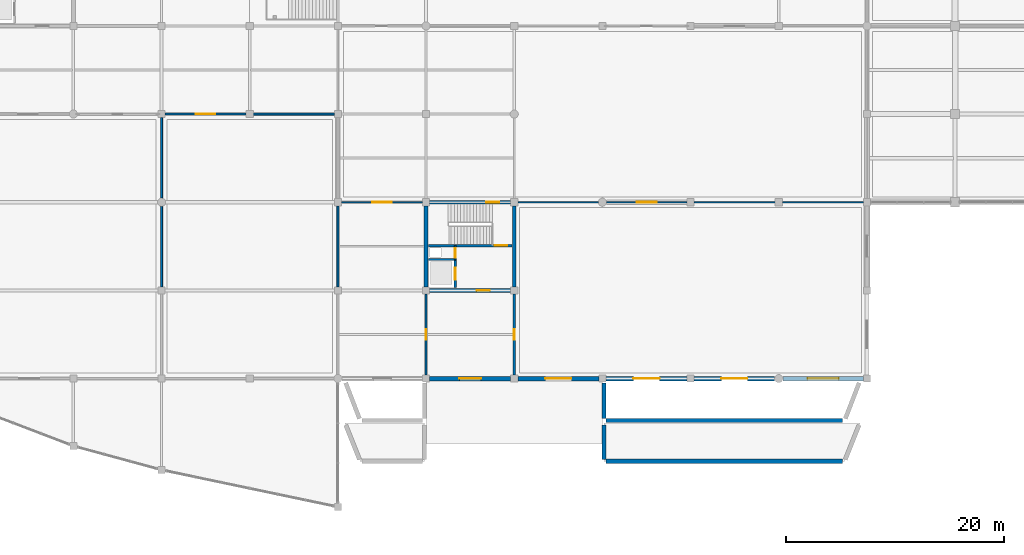
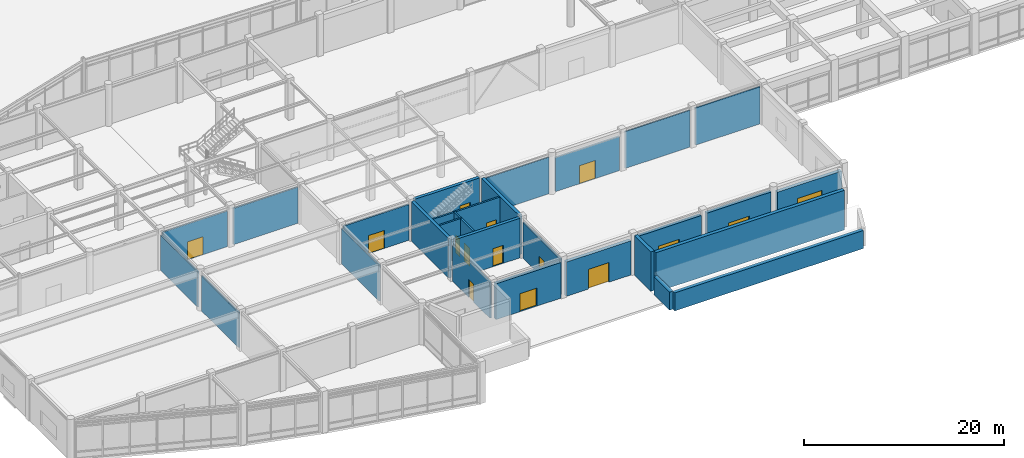
# One storey, part 63 of 99: 29 walls, 14 doors, 1 window, 15 openings.
"""IFC4 building model written with IfcOpenShell, lengths in metres."""

from ifc_helpers import new_model, si_unit, direction, frame, frame_2d, origin, place, context, subcontext, project, spatial, rectangle, extrude, material, layer, layer_set, type_object, element, fill, save


model = new_model("IFC4")

# Units and contexts
model_context = context("Model", 3, precision=1e-05, world=origin(), true_north=direction((0.0, 1.0)))
body_context = subcontext(model_context, "Body", "Model", "MODEL_VIEW")
ifc_project = project(units=[si_unit("LENGTHUNIT", "METRE"), si_unit("AREAUNIT", "SQUARE_METRE"), si_unit("VOLUMEUNIT", "CUBIC_METRE"), si_unit("PLANEANGLEUNIT", "RADIAN"), si_unit("MASSUNIT", "GRAM", prefix="KILO")], contexts=[model_context])

# Site, building, storey
site_placement = place(None, origin())
site = spatial("IfcSite", under=ifc_project, at=site_placement, CompositionType="ELEMENT")
building_placement = place(site_placement, origin())
building = spatial("IfcBuilding", under=site, at=building_placement, Name="Vaudrelin Polytechnic", CompositionType="ELEMENT")
storey_placement = place(building_placement, origin())
storey = spatial("IfcBuildingStorey", under=building, at=storey_placement, Name="L00", CompositionType="ELEMENT", Elevation=0.0)

# Wall, opening, door
ifc_material_1 = material(Name="Concrete 35 MPa", Category="concrete")
ifc_layer_1 = layer(ifc_material_1, 0.39990234375)
ifc_layer_set_1 = layer_set([ifc_layer_1], Name="Concrete 35 MPa")
wall_type_1 = type_object("IfcWallType", Name="WAL-EW-BERM400", PredefinedType="STANDARD", material=ifc_layer_set_1)
wall_1_placement = place(storey_placement, frame((89.423095703125, 0.0, 0.0), z_axis=(0.0, 0.0, 1.0), x_axis=(1.0, 0.0, 0.0)))
wall_1 = element("IfcWall", 1, at=wall_1_placement, inside=storey, type_object=wall_type_1, Name="Exterior wall L00 S_V3_01", PredefinedType="STANDARD", context=body_context, shape_type="SweptSolid", body=[
    extrude(rectangle(XDim=7.453857421875, YDim=0.39990234375, at=frame_2d((3.72705078125, 0.0))), origin(), (0.0, 0.0, 1.0), 4.35888671875),
])
opening_1_placement = place(wall_1_placement, frame((4.72705078125, 0.0, 0.0), z_axis=(0.0, 0.0, 1.0), x_axis=(-1.0, 0.0, 0.0)))
opening_1 = element("IfcOpeningElement", 2, at=opening_1_placement, cuts=wall_1, Name="Opening ED-00-11", PredefinedType="OPENING", context=body_context, shape_type="SweptSolid", body=[
    extrude(rectangle(XDim=2.0, YDim=2.199951171875, at=frame_2d((1.0, 1.10009765625))), frame((0.0, 0.2099609375, 0.0), z_axis=(0.0, -1.0, 0.0), x_axis=(1.0, 0.0, 0.0)), (0.0, 0.0, 1.0), 0.419921875),
])
ifc_material_2 = material(Name="Thermally broken anodised aluminium AA 6063-T6", Category="aluminium")
door_type_1 = type_object("IfcDoorType", Name="DOR-ED-02", OperationType="DOUBLE_SWING_LEFT", PredefinedType="DOOR", material=ifc_material_2)
door_1_placement = place(opening_1_placement, origin())
door_1 = element("IfcDoor", 3, at=door_1_placement, inside=storey, type_object=door_type_1, Name="Exterior exit door ED-00-11", OperationType="DOUBLE_SWING_LEFT", OverallHeight=2.199951171875, OverallWidth=2.0, PredefinedType="DOOR", context=body_context, shape_type="SweptSolid", body=[
    extrude(rectangle(XDim=2.0, YDim=2.199951171875, at=frame_2d((1.0, 1.10009765625))), frame((0.0, 0.02490234375, 0.0), z_axis=(0.0, -1.0, 0.0), x_axis=(1.0, 0.0, 0.0)), (0.0, 0.0, 1.0), 0.050048828125),
])
fill(opening_1, door_1)

wall_2_placement = place(storey_placement, frame((97.52294921875, 0.0, 0.0), z_axis=(0.0, 0.0, 1.0), x_axis=(1.0, 0.0, 0.0)))
wall_2 = element("IfcWall", 4, at=wall_2_placement, inside=storey, type_object=wall_type_1, Name="Exterior wall L00 S_V3_02", PredefinedType="STANDARD", context=body_context, shape_type="SweptSolid", body=[
    extrude(rectangle(XDim=7.4541015625, YDim=0.39990234375, at=frame_2d((3.72705078125, 0.0))), origin(), (0.0, 0.0, 1.0), 4.172119140625),
])
opening_2_placement = place(wall_2_placement, frame((4.927001953125, 0.0, 0.0), z_axis=(0.0, 0.0, 1.0), x_axis=(-1.0, 0.0, 0.0)))
opening_2 = element("IfcOpeningElement", 5, at=opening_2_placement, cuts=wall_2, Name="Opening ED-00-12", PredefinedType="OPENING", context=body_context, shape_type="SweptSolid", body=[
    extrude(rectangle(XDim=2.39990234375, YDim=2.39990234375, at=frame_2d((1.199951171875, 1.199951171875))), frame((0.0, 0.2099609375, 0.0), z_axis=(0.0, -1.0, 0.0), x_axis=(1.0, 0.0, 0.0)), (0.0, 0.0, 1.0), 0.419921875),
])
door_type_2 = type_object("IfcDoorType", Name="DOR-ED-01", OperationType="DOUBLE_SWING_LEFT", PredefinedType="DOOR", material=ifc_material_2)
door_2_placement = place(opening_2_placement, origin())
door_2 = element("IfcDoor", 6, at=door_2_placement, inside=storey, type_object=door_type_2, Name="Exterior exit door ED-00-12", OperationType="DOUBLE_SWING_RIGHT", OverallHeight=2.39990234375, OverallWidth=2.39990234375, PredefinedType="DOOR", context=body_context, shape_type="SweptSolid", body=[
    extrude(rectangle(XDim=2.39990234375, YDim=2.39990234375, at=frame_2d((1.199951171875, 1.199951171875))), frame((0.0, 0.02490234375, 0.0), z_axis=(0.0, -1.0, 0.0), x_axis=(1.0, 0.0, 0.0)), (0.0, 0.0, 1.0), 0.050048828125),
])
fill(opening_2, door_2)

wall_3_placement = place(storey_placement, frame((105.623046875, 0.0, 0.0), z_axis=(0.0, 0.0, 1.0), x_axis=(1.0, 0.0, 0.0)))
wall_3 = element("IfcWall", 7, at=wall_3_placement, inside=storey, type_object=wall_type_1, Name="Exterior wall L00 S_V3_03", PredefinedType="STANDARD", context=body_context, shape_type="SweptSolid", body=[
    extrude(rectangle(XDim=7.453857421875, YDim=0.39990234375, at=frame_2d((3.72705078125, 0.0))), origin(), (0.0, 0.0, 1.0), 4.412109375),
])
opening_3_placement = place(wall_3_placement, frame((4.927001953125, 0.0, 0.0), z_axis=(0.0, 0.0, 1.0), x_axis=(-1.0, 0.0, 0.0)))
opening_3 = element("IfcOpeningElement", 8, at=opening_3_placement, cuts=wall_3, Name="Opening ED-00-26", PredefinedType="OPENING", context=body_context, shape_type="SweptSolid", body=[
    extrude(rectangle(XDim=2.39990234375, YDim=2.39990234375, at=frame_2d((1.199951171875, 1.199951171875))), frame((0.0, 0.2099609375, 0.0), z_axis=(0.0, -1.0, 0.0), x_axis=(1.0, 0.0, 0.0)), (0.0, 0.0, 1.0), 0.419921875),
])
door_3_placement = place(opening_3_placement, origin())
door_3 = element("IfcDoor", 9, at=door_3_placement, inside=storey, type_object=door_type_2, Name="Exterior exit door ED-00-26", OperationType="DOUBLE_SWING_RIGHT", OverallHeight=2.39990234375, OverallWidth=2.39990234375, PredefinedType="DOOR", context=body_context, shape_type="SweptSolid", body=[
    extrude(rectangle(XDim=2.39990234375, YDim=2.39990234375, at=frame_2d((1.199951171875, 1.199951171875))), frame((0.0, 0.02490234375, 0.0), z_axis=(0.0, -1.0, 0.0), x_axis=(1.0, 0.0, 0.0)), (0.0, 0.0, 1.0), 0.050048828125),
])
fill(opening_3, door_3)

wall_4_placement = place(storey_placement, frame((113.722900390625, 0.0, 0.0), z_axis=(0.0, 0.0, 1.0), x_axis=(1.0, 0.0, 0.0)))
wall_4 = element("IfcWall", 10, at=wall_4_placement, inside=storey, type_object=wall_type_1, Name="Exterior wall L00 S_V3_04", PredefinedType="STANDARD", context=body_context, shape_type="SweptSolid", body=[
    extrude(rectangle(XDim=7.404052734375, YDim=0.39990234375, at=frame_2d((3.7021484375, 0.0))), origin(), (0.0, 0.0, 1.0), 4.464111328125),
])
opening_4_placement = place(wall_4_placement, frame((4.90185546875, 0.0, 0.0), z_axis=(0.0, 0.0, 1.0), x_axis=(-1.0, 0.0, 0.0)))
opening_4 = element("IfcOpeningElement", 11, at=opening_4_placement, cuts=wall_4, Name="Opening ED-00-23", PredefinedType="OPENING", context=body_context, shape_type="SweptSolid", body=[
    extrude(rectangle(XDim=2.39990234375, YDim=2.39990234375, at=frame_2d((1.199951171875, 1.199951171875))), frame((0.0, 0.2099609375, 0.0), z_axis=(0.0, -1.0, 0.0), x_axis=(1.0, 0.0, 0.0)), (0.0, 0.0, 1.0), 0.419921875),
])
door_4_placement = place(opening_4_placement, origin())
door_4 = element("IfcDoor", 12, at=door_4_placement, inside=storey, type_object=door_type_2, Name="Exterior exit door ED-00-23", OperationType="DOUBLE_SWING_LEFT", OverallHeight=2.39990234375, OverallWidth=2.39990234375, PredefinedType="DOOR", context=body_context, shape_type="SweptSolid", body=[
    extrude(rectangle(XDim=2.39990234375, YDim=2.39990234375, at=frame_2d((1.199951171875, 1.199951171875))), frame((0.0, 0.02490234375, 0.0), z_axis=(0.0, -1.0, 0.0), x_axis=(1.0, 0.0, 0.0)), (0.0, 0.0, 1.0), 0.050048828125),
])
fill(opening_4, door_4)

# Wall, opening, window
wall_5_placement = place(storey_placement, frame((121.873046875, 0.0, 0.0), z_axis=(0.0, 0.0, 1.0), x_axis=(1.0, 0.0, 0.0)))
wall_5 = element("IfcWall", 13, at=wall_5_placement, inside=storey, type_object=wall_type_1, Name="Exterior wall L00 S_V3_05", PredefinedType="STANDARD", context=body_context, shape_type="SweptSolid", body=[
    extrude(rectangle(XDim=7.404052734375, YDim=0.39990234375, at=frame_2d((3.7021484375, 0.0))), origin(), (0.0, 0.0, 1.0), 4.172119140625),
])
opening_5_placement = place(wall_5_placement, frame((2.277099609375, 0.0, 0.85009765625)))
opening_5 = element("IfcOpeningElement", 14, at=opening_5_placement, cuts=wall_5, Name="Opening W-L00-S-V3-06", PredefinedType="OPENING", context=body_context, shape_type="SweptSolid", body=[
    extrude(rectangle(XDim=2.85009765625, YDim=1.75, at=frame_2d((1.425048828125, 0.875))), frame((0.0, 0.2099609375, 0.0), z_axis=(0.0, -1.0, 0.0), x_axis=(1.0, 0.0, 0.0)), (0.0, 0.0, 1.0), 0.419921875),
])
ifc_material_3 = material(Name="Thermally broken aluminium frame with triple low-e glazing", Category="aluminium")
window_type = type_object("IfcWindowType", Name="WIN-WN-19", PartitioningType="SINGLE_PANEL", PredefinedType="WINDOW", material=ifc_material_3)
window_placement = place(opening_5_placement, origin())
window = element("IfcWindow", 15, at=window_placement, inside=storey, type_object=window_type, Name="Facade window L00-S_V3_05", OverallHeight=1.75, OverallWidth=2.85009765625, PartitioningType="SINGLE_PANEL", PredefinedType="WINDOW", context=body_context, shape_type="SweptSolid", body=[
    extrude(rectangle(XDim=2.85009765625, YDim=1.75, at=frame_2d((1.425048828125, 0.875))), frame((0.0, 0.030029296875, 0.0), z_axis=(0.0, -1.0, 0.0), x_axis=(1.0, 0.0, 0.0)), (0.0, 0.0, 1.0), 0.06005859375),
])
fill(opening_5, window)

# Walls
ifc_material_4 = material(Name="Acoustic double-stud gypsum & mineral-wool partition", Category="gypsum")
ifc_layer_2 = layer(ifc_material_4, 0.179931640625)
ifc_layer_set_2 = layer_set([ifc_layer_2], Name="Acoustic double-stud gypsum & mineral-wool partition")
wall_type_2 = type_object("IfcWallType", Name="WAL-PW-AC180", PredefinedType="PARTITIONING", material=ifc_layer_set_2)
wall_6_placement = place(storey_placement, frame((64.800048828125, 8.423095703125, 0.0), z_axis=(0.0, 0.0, 1.0), x_axis=(0.0, 1.0, 0.0)))
element("IfcWall", 16, at=wall_6_placement, inside=storey, type_object=wall_type_2, Name="Partition L00-008 E", PredefinedType="PARTITIONING", context=body_context, shape_type="SweptSolid", body=[
    extrude(rectangle(XDim=7.40380859375, YDim=0.179931640625, at=frame_2d((3.701904296875, 0.0))), origin(), (0.0, 0.0, 1.0), 4.27294921875),
])
wall_7_placement = place(storey_placement, frame((64.800048828125, 16.572998046875, 0.0), z_axis=(0.0, 0.0, 1.0), x_axis=(0.0, 1.0, 0.0)))
element("IfcWall", 17, at=wall_7_placement, inside=storey, type_object=wall_type_2, Name="Partition L00-008 E", PredefinedType="PARTITIONING", context=body_context, shape_type="SweptSolid", body=[
    extrude(rectangle(XDim=7.404052734375, YDim=0.179931640625, at=frame_2d((3.7021484375, 0.0))), origin(), (0.0, 0.0, 1.0), 4.2890625),
])

# Wall, opening, door
wall_8_placement = place(storey_placement, frame((65.123046875, 24.300048828125, 0.0), z_axis=(0.0, 0.0, 1.0), x_axis=(1.0, 0.0, 0.0)))
wall_8 = element("IfcWall", 18, at=wall_8_placement, inside=storey, type_object=wall_type_2, Name="Partition L00-009 N", PredefinedType="PARTITIONING", context=body_context, shape_type="SweptSolid", body=[
    extrude(rectangle(XDim=7.453857421875, YDim=0.179931640625, at=frame_2d((3.72705078125, 0.0))), origin(), (0.0, 0.0, 1.0), 4.35888671875),
])
opening_6_placement = place(wall_8_placement, frame((2.826904296875, 0.0, 0.0)))
opening_6 = element("IfcOpeningElement", 19, at=opening_6_placement, cuts=wall_8, Name="Opening D-L00-426", PredefinedType="OPENING", context=body_context, shape_type="SweptSolid", body=[
    extrude(rectangle(XDim=1.800048828125, YDim=2.199951171875, at=frame_2d((0.89990234375, 1.10009765625))), frame((0.0, 0.10009765625, 0.0), z_axis=(0.0, -1.0, 0.0), x_axis=(1.0, 0.0, 0.0)), (0.0, 0.0, 1.0), 0.199951171875),
])
ifc_material_5 = material(Name="Pressed galvanised steel acoustic leaf", Category="steel")
door_type_3 = type_object("IfcDoorType", Name="DOR-ID-LEC1", OperationType="NOTDEFINED", PredefinedType="DOOR", material=ifc_material_5)
door_5_placement = place(opening_6_placement, origin())
door_5 = element("IfcDoor", 20, at=door_5_placement, inside=storey, type_object=door_type_3, Name="Lecture Theatre B door L00-009", OperationType="DOUBLE_SWING_LEFT", OverallHeight=2.199951171875, OverallWidth=1.800048828125, PredefinedType="DOOR", context=body_context, shape_type="SweptSolid", body=[
    extrude(rectangle(XDim=1.800048828125, YDim=2.199951171875, at=frame_2d((0.89990234375, 1.10009765625))), frame((0.0, 0.02490234375, 0.0), z_axis=(0.0, -1.0, 0.0), x_axis=(1.0, 0.0, 0.0)), (0.0, 0.0, 1.0), 0.050048828125),
])
fill(opening_6, door_5)

# Walls
wall_9_placement = place(storey_placement, frame((73.222900390625, 24.300048828125, 0.0), z_axis=(0.0, 0.0, 1.0), x_axis=(1.0, 0.0, 0.0)))
element("IfcWall", 21, at=wall_9_placement, inside=storey, type_object=wall_type_2, Name="Partition L00-009 N", PredefinedType="PARTITIONING", context=body_context, shape_type="SweptSolid", body=[
    extrude(rectangle(XDim=7.4541015625, YDim=0.179931640625, at=frame_2d((3.72705078125, 0.0))), origin(), (0.0, 0.0, 1.0), 4.406982421875),
])
wall_10_placement = place(storey_placement, frame((81.0, 8.423095703125, 0.0), z_axis=(0.0, 0.0, 1.0), x_axis=(0.0, 1.0, 0.0)))
element("IfcWall", 22, at=wall_10_placement, inside=storey, type_object=wall_type_2, Name="Partition L00-009 E", PredefinedType="PARTITIONING", context=body_context, shape_type="SweptSolid", body=[
    extrude(rectangle(XDim=7.453857421875, YDim=0.179931640625, at=frame_2d((3.72705078125, 0.0))), origin(), (0.0, 0.0, 1.0), 4.35888671875),
])

# Wall, opening, door
wall_11_placement = place(storey_placement, frame((81.322998046875, 16.199951171875, 0.0), z_axis=(0.0, 0.0, 1.0), x_axis=(1.0, 0.0, 0.0)))
wall_11 = element("IfcWall", 23, at=wall_11_placement, inside=storey, type_object=wall_type_2, Name="Partition L00-011 S", PredefinedType="PARTITIONING", context=body_context, shape_type="SweptSolid", body=[
    extrude(rectangle(XDim=7.4541015625, YDim=0.179931640625, at=frame_2d((3.72705078125, 0.0))), origin(), (0.0, 0.0, 1.0), 4.362060546875),
])
opening_7_placement = place(wall_11_placement, frame((2.826904296875, 0.0, 0.0)))
opening_7 = element("IfcOpeningElement", 24, at=opening_7_placement, cuts=wall_11, Name="Opening D-L00-592", PredefinedType="OPENING", context=body_context, shape_type="SweptSolid", body=[
    extrude(rectangle(XDim=1.800048828125, YDim=2.199951171875, at=frame_2d((0.89990234375, 1.10009765625))), frame((0.0, 0.10009765625, 0.0), z_axis=(0.0, -1.0, 0.0), x_axis=(1.0, 0.0, 0.0)), (0.0, 0.0, 1.0), 0.199951171875),
])
door_type_4 = type_object("IfcDoorType", Name="DOR-ID-DBL1", OperationType="NOTDEFINED", PredefinedType="DOOR", material=ifc_material_5)
door_6_placement = place(opening_7_placement, origin())
door_6 = element("IfcDoor", 25, at=door_6_placement, inside=storey, type_object=door_type_4, Name="Campus bookshop dining hall door L00", OperationType="DOUBLE_SWING_LEFT", OverallHeight=2.199951171875, OverallWidth=1.800048828125, PredefinedType="DOOR", context=body_context, shape_type="SweptSolid", body=[
    extrude(rectangle(XDim=1.800048828125, YDim=2.199951171875, at=frame_2d((0.89990234375, 1.10009765625))), frame((0.0, 0.02490234375, 0.0), z_axis=(0.0, -1.0, 0.0), x_axis=(1.0, 0.0, 0.0)), (0.0, 0.0, 1.0), 0.050048828125),
])
fill(opening_7, door_6)

wall_12_placement = place(storey_placement, frame((105.673095703125, 16.199951171875, 0.0), z_axis=(0.0, 0.0, 1.0), x_axis=(1.0, 0.0, 0.0)))
wall_12 = element("IfcWall", 26, at=wall_12_placement, inside=storey, type_object=wall_type_2, Name="Partition L00-011 S", PredefinedType="PARTITIONING", context=body_context, shape_type="SweptSolid", body=[
    extrude(rectangle(XDim=7.40380859375, YDim=0.179931640625, at=frame_2d((3.701904296875, 0.0))), origin(), (0.0, 0.0, 1.0), 4.172119140625),
])
opening_8_placement = place(wall_12_placement, frame((2.802001953125, 0.0, 0.0)))
opening_8 = element("IfcOpeningElement", 27, at=opening_8_placement, cuts=wall_12, Name="Opening D-L00-593", PredefinedType="OPENING", context=body_context, shape_type="SweptSolid", body=[
    extrude(rectangle(XDim=1.800048828125, YDim=2.199951171875, at=frame_2d((0.89990234375, 1.10009765625))), frame((0.0, 0.10009765625, 0.0), z_axis=(0.0, -1.0, 0.0), x_axis=(1.0, 0.0, 0.0)), (0.0, 0.0, 1.0), 0.199951171875),
])
door_7_placement = place(opening_8_placement, origin())
door_7 = element("IfcDoor", 28, at=door_7_placement, inside=storey, type_object=door_type_4, Name="Refectory serveries dining hall door L00", OperationType="DOUBLE_SWING_LEFT", OverallHeight=2.199951171875, OverallWidth=1.800048828125, PredefinedType="DOOR", context=body_context, shape_type="SweptSolid", body=[
    extrude(rectangle(XDim=1.800048828125, YDim=2.199951171875, at=frame_2d((0.89990234375, 1.10009765625))), frame((0.0, 0.02490234375, 0.0), z_axis=(0.0, -1.0, 0.0), x_axis=(1.0, 0.0, 0.0)), (0.0, 0.0, 1.0), 0.050048828125),
])
fill(opening_8, door_7)

ifc_material_6 = material(Name="Concrete masonry unit 20 MPa shaft & corridor fire wall", Category="masonry")
ifc_layer_3 = layer(ifc_material_6, 0.199951171875)
ifc_layer_set_3 = layer_set([ifc_layer_3], Name="Concrete masonry unit 20 MPa shaft & corridor fire wall")
wall_type_3 = type_object("IfcWallType", Name="WAL-PW-FIRE120", PredefinedType="PARTITIONING", material=ifc_layer_set_3)
wall_13_placement = place(storey_placement, frame((97.199951171875, 0.322998046875, 0.0), z_axis=(0.0, 0.0, 1.0), x_axis=(0.0, 1.0, 0.0)))
wall_13 = element("IfcWall", 29, at=wall_13_placement, inside=storey, type_object=wall_type_3, Name="Partition L00-012 W", PredefinedType="PARTITIONING", context=body_context, shape_type="SweptSolid", body=[
    extrude(rectangle(XDim=7.4541015625, YDim=0.199951171875, at=frame_2d((3.72705078125, 0.0))), origin(), (0.0, 0.0, 1.0), 4.362060546875),
])
opening_9_placement = place(wall_13_placement, frame((3.2470703125, 0.0, 0.0)))
opening_9 = element("IfcOpeningElement", 30, at=opening_9_placement, cuts=wall_13, Name="Opening D-L00-428", PredefinedType="OPENING", context=body_context, shape_type="SweptSolid", body=[
    extrude(rectangle(XDim=0.9599609375, YDim=2.14990234375, at=frame_2d((0.47998046875, 1.074951171875))), frame((0.0, 0.10986328125, 0.0), z_axis=(0.0, -1.0, 0.0), x_axis=(1.0, 0.0, 0.0)), (0.0, 0.0, 1.0), 0.219970703125),
])
ifc_material_7 = material(Name="Solid-core birch veneer acoustic leaf", Category="wood")
door_type_5 = type_object("IfcDoorType", Name="DOR-ID-OFF2", OperationType="NOTDEFINED", PredefinedType="DOOR", material=ifc_material_7)
door_8_placement = place(opening_9_placement, origin())
door_8 = element("IfcDoor", 31, at=door_8_placement, inside=storey, type_object=door_type_5, Name="Refectory Serveries and Kitchen door L00-012", OperationType="SINGLE_SWING_LEFT", OverallHeight=2.14990234375, OverallWidth=0.9599609375, PredefinedType="DOOR", context=body_context, shape_type="SweptSolid", body=[
    extrude(rectangle(XDim=0.9599609375, YDim=2.14990234375, at=frame_2d((0.47998046875, 1.074951171875))), frame((0.0, 0.02490234375, 0.0), z_axis=(0.0, -1.0, 0.0), x_axis=(1.0, 0.0, 0.0)), (0.0, 0.0, 1.0), 0.050048828125),
])
fill(opening_9, door_8)

wall_14_placement = place(storey_placement, frame((89.10009765625, 0.322998046875, 0.0), z_axis=(0.0, 0.0, 1.0), x_axis=(0.0, 1.0, 0.0)))
wall_14 = element("IfcWall", 32, at=wall_14_placement, inside=storey, type_object=wall_type_3, Name="Partition L00-013 E", PredefinedType="PARTITIONING", context=body_context, shape_type="SweptSolid", body=[
    extrude(rectangle(XDim=7.4541015625, YDim=0.199951171875, at=frame_2d((3.72705078125, 0.0))), origin(), (0.0, 0.0, 1.0), 4.35888671875),
])
opening_10_placement = place(wall_14_placement, frame((3.2470703125, 0.0, 0.0)))
opening_10 = element("IfcOpeningElement", 33, at=opening_10_placement, cuts=wall_14, Name="Opening D-L00-429", PredefinedType="OPENING", context=body_context, shape_type="SweptSolid", body=[
    extrude(rectangle(XDim=0.9599609375, YDim=2.14990234375, at=frame_2d((0.47998046875, 1.074951171875))), frame((0.0, 0.10986328125, 0.0), z_axis=(0.0, -1.0, 0.0), x_axis=(1.0, 0.0, 0.0)), (0.0, 0.0, 1.0), 0.219970703125),
])
door_9_placement = place(opening_10_placement, origin())
door_9 = element("IfcDoor", 34, at=door_9_placement, inside=storey, type_object=door_type_5, Name="Campus Technical Bookshop door L00-013", OperationType="SINGLE_SWING_RIGHT", OverallHeight=2.14990234375, OverallWidth=0.9599609375, PredefinedType="DOOR", context=body_context, shape_type="SweptSolid", body=[
    extrude(rectangle(XDim=0.9599609375, YDim=2.14990234375, at=frame_2d((0.47998046875, 1.074951171875))), frame((0.0, 0.02490234375, 0.0), z_axis=(0.0, -1.0, 0.0), x_axis=(1.0, 0.0, 0.0)), (0.0, 0.0, 1.0), 0.050048828125),
])
fill(opening_10, door_9)

ifc_material_8 = material(Name="Fire-rated steel-stud gypsum compartment wall", Category="steel")
ifc_layer_4 = layer(ifc_material_8, 0.14990234375)
ifc_layer_set_4 = layer_set([ifc_layer_4], Name="Fire-rated steel-stud gypsum compartment wall")
wall_type_4 = type_object("IfcWallType", Name="WAL-PW-FIRE60", PredefinedType="PARTITIONING", material=ifc_layer_set_4)
wall_15_placement = place(storey_placement, frame((91.780029296875, 10.949951171875, 0.0), z_axis=(0.0, 0.0, 1.0), x_axis=(0.0, 1.0, 0.0)))
wall_15 = element("IfcWall", 35, at=wall_15_placement, inside=storey, type_object=wall_type_4, Name="Core C5 riser enclosure wall L00", PredefinedType="PARTITIONING", context=body_context, shape_type="SweptSolid", body=[
    extrude(rectangle(XDim=1.260009765625, YDim=0.14990234375, at=frame_2d((0.6298828125, 0.0))), origin(), (0.0, 0.0, 1.0), 4.822021484375),
])
opening_11_placement = place(wall_15_placement, frame((0.139892578125, 0.0, 0.0)))
opening_11 = element("IfcOpeningElement", 36, at=opening_11_placement, cuts=wall_15, Name="Opening D-L00-080", PredefinedType="OPENING", context=body_context, shape_type="SweptSolid", body=[
    extrude(rectangle(XDim=0.89990234375, YDim=2.14990234375, at=frame_2d((0.449951171875, 1.074951171875))), frame((0.0, 0.0849609375, 0.0), z_axis=(0.0, -1.0, 0.0), x_axis=(1.0, 0.0, 0.0)), (0.0, 0.0, 1.0), 0.169921875),
])
door_type_6 = type_object("IfcDoorType", Name="DOR-ID-RSR1", OperationType="NOTDEFINED", PredefinedType="DOOR", material=ifc_material_5)
door_10_placement = place(opening_11_placement, origin())
door_10 = element("IfcDoor", 37, at=door_10_placement, inside=storey, type_object=door_type_6, Name="Core C5 riser access door L00", OperationType="SINGLE_SWING_RIGHT", OverallHeight=2.14990234375, OverallWidth=0.89990234375, PredefinedType="DOOR", context=body_context, shape_type="SweptSolid", body=[
    extrude(rectangle(XDim=0.89990234375, YDim=2.14990234375, at=frame_2d((0.449951171875, 1.074951171875))), frame((0.0, 0.02490234375, 0.0), z_axis=(0.0, -1.0, 0.0), x_axis=(1.0, 0.0, 0.0)), (0.0, 0.0, 1.0), 0.050048828125),
])
fill(opening_11, door_10)

# Walls
ifc_material_9 = material(Name="Acoustic steel-stud office & study room partition", Category="steel")
ifc_layer_5 = layer(ifc_material_9, 0.135009765625)
ifc_layer_set_5 = layer_set([ifc_layer_5], Name="Acoustic steel-stud office & study room partition")
wall_type_5 = type_object("IfcWallType", Name="WAL-PW-OFF135", PredefinedType="PARTITIONING", material=ifc_layer_set_5)
wall_16_placement = place(storey_placement, frame((97.52294921875, 16.199951171875, 0.0), z_axis=(0.0, 0.0, 1.0), x_axis=(1.0, 0.0, 0.0)))
element("IfcWall", 38, at=wall_16_placement, inside=storey, type_object=wall_type_5, Name="Partition L00-011 S", PredefinedType="PARTITIONING", context=body_context, shape_type="SweptSolid", body=[
    extrude(rectangle(XDim=7.404052734375, YDim=0.135009765625, at=frame_2d((3.7021484375, 0.0))), origin(), (0.0, 0.0, 1.0), 4.464111328125),
])
wall_17_placement = place(storey_placement, frame((113.722900390625, 16.199951171875, 0.0), z_axis=(0.0, 0.0, 1.0), x_axis=(1.0, 0.0, 0.0)))
element("IfcWall", 39, at=wall_17_placement, inside=storey, type_object=wall_type_5, Name="Partition L00-011 S", PredefinedType="PARTITIONING", context=body_context, shape_type="SweptSolid", body=[
    extrude(rectangle(XDim=7.4541015625, YDim=0.135009765625, at=frame_2d((3.72705078125, 0.0))), origin(), (0.0, 0.0, 1.0), 4.5048828125),
])
wall_18_placement = place(storey_placement, frame((121.822998046875, 16.199951171875, 0.0), z_axis=(0.0, 0.0, 1.0), x_axis=(1.0, 0.0, 0.0)))
element("IfcWall", 40, at=wall_18_placement, inside=storey, type_object=wall_type_5, Name="Partition L00-011 S", PredefinedType="PARTITIONING", context=body_context, shape_type="SweptSolid", body=[
    extrude(rectangle(XDim=7.4541015625, YDim=0.135009765625, at=frame_2d((3.72705078125, 0.0))), origin(), (0.0, 0.0, 1.0), 4.555908203125),
])

# Wall, opening, door
ifc_material_10 = material(Name="Concrete 40 MPa", Category="concrete")
ifc_layer_6 = layer(ifc_material_10, 0.199951171875)
ifc_layer_set_6 = layer_set([ifc_layer_6], Name="Concrete 40 MPa")
wall_type_6 = type_object("IfcWallType", Name="WAL-SW-CORE200", PredefinedType="SHEAR", material=ifc_layer_set_6)
wall_19_placement = place(storey_placement, frame((89.320068359375, 12.2099609375, 0.0), z_axis=(0.0, 0.0, 1.0), x_axis=(1.0, 0.0, 0.0)))
wall_19 = element("IfcWall", 41, at=wall_19_placement, inside=storey, type_object=wall_type_6, Name="Core C5 stair enclosure wall L00", PredefinedType="SHEAR", context=body_context, shape_type="SweptSolid", body=[
    extrude(rectangle(XDim=7.659912109375, YDim=0.199951171875, at=frame_2d((3.830078125, 0.0))), origin(), (0.0, 0.0, 1.0), 4.822021484375),
])
opening_12_placement = place(wall_19_placement, frame((6.110107421875, 0.0, 0.0)))
opening_12 = element("IfcOpeningElement", 42, at=opening_12_placement, cuts=wall_19, Name="Opening D-L00-079", PredefinedType="OPENING", context=body_context, shape_type="SweptSolid", body=[
    extrude(rectangle(XDim=1.14990234375, YDim=2.199951171875, at=frame_2d((0.574951171875, 1.10009765625))), frame((0.0, 0.10986328125, 0.0), z_axis=(0.0, -1.0, 0.0), x_axis=(1.0, 0.0, 0.0)), (0.0, 0.0, 1.0), 0.219970703125),
])
door_type_7 = type_object("IfcDoorType", Name="DOR-ID-ST1", OperationType="NOTDEFINED", PredefinedType="DOOR", material=ifc_material_5)
door_11_placement = place(opening_12_placement, origin())
door_11 = element("IfcDoor", 43, at=door_11_placement, inside=storey, type_object=door_type_7, Name="Core C5 exit stair door L00", OperationType="SINGLE_SWING_LEFT", OverallHeight=2.199951171875, OverallWidth=1.14990234375, PredefinedType="DOOR", context=body_context, shape_type="SweptSolid", body=[
    extrude(rectangle(XDim=1.14990234375, YDim=2.199951171875, at=frame_2d((0.574951171875, 1.10009765625))), frame((0.0, 0.02490234375, 0.0), z_axis=(0.0, -1.0, 0.0), x_axis=(1.0, 0.0, 0.0)), (0.0, 0.0, 1.0), 0.050048828125),
])
fill(opening_12, door_11)

wall_20_placement = place(storey_placement, frame((91.780029296875, 8.35009765625, 0.0), z_axis=(0.0, 0.0, 1.0), x_axis=(0.0, 1.0, 0.0)))
wall_20 = element("IfcWall", 44, at=wall_20_placement, inside=storey, type_object=wall_type_6, Name="Lift LF-05 shaft front wall L00", PredefinedType="SHEAR", context=body_context, shape_type="SweptSolid", body=[
    extrude(rectangle(XDim=2.599853515625, YDim=0.199951171875, at=frame_2d((1.2998046875, 0.0))), origin(), (0.0, 0.0, 1.0), 4.822021484375),
])
opening_13_placement = place(wall_20_placement, frame((0.75, 0.0, 0.0)))
opening_13 = element("IfcOpeningElement", 45, at=opening_13_placement, cuts=wall_20, Name="Opening LD-LF-05-L00", PredefinedType="OPENING", context=body_context, shape_type="SweptSolid", body=[
    extrude(rectangle(XDim=1.10009765625, YDim=2.199951171875, at=frame_2d((0.550048828125, 1.10009765625))), frame((0.0, 0.10986328125, 0.0), z_axis=(0.0, -1.0, 0.0), x_axis=(1.0, 0.0, 0.0)), (0.0, 0.0, 1.0), 0.219970703125),
])
ifc_material_11 = material(Name="Brushed stainless steel AISI 304", Category="steel")
door_type_8 = type_object("IfcDoorType", Name="DOR-LD-PAX", OperationType="SLIDING_TO_LEFT", PredefinedType="DOOR", material=ifc_material_11)
door_12_placement = place(opening_13_placement, origin())
door_12 = element("IfcDoor", 46, at=door_12_placement, inside=storey, type_object=door_type_8, Name="Lift LF-05 landing door L00", OperationType="SLIDING_TO_LEFT", OverallHeight=2.199951171875, OverallWidth=1.10009765625, PredefinedType="DOOR", context=body_context, shape_type="SweptSolid", body=[
    extrude(rectangle(XDim=1.10009765625, YDim=2.199951171875, at=frame_2d((0.550048828125, 1.10009765625))), frame((0.0, 0.02490234375, 0.0), z_axis=(0.0, -1.0, 0.0), x_axis=(1.0, 0.0, 0.0)), (0.0, 0.0, 1.0), 0.050048828125),
])
fill(opening_13, door_12)

# Wall
wall_21_placement = place(storey_placement, frame((89.320068359375, 10.949951171875, 0.0), z_axis=(0.0, 0.0, 1.0), x_axis=(1.0, 0.0, 0.0)))
element("IfcWall", 47, at=wall_21_placement, inside=storey, type_object=wall_type_6, Name="Lift LF-05 shaft north wall L00", PredefinedType="SHEAR", context=body_context, shape_type="SweptSolid", body=[
    extrude(rectangle(XDim=2.559814453125, YDim=0.199951171875, at=frame_2d((1.27978515625, 0.0))), origin(), (0.0, 0.0, 1.0), 4.822021484375),
])

# Wall, opening, door
ifc_material_12 = material(Name="Concrete 50 MPa", Category="concrete")
ifc_layer_7 = layer(ifc_material_12, 0.35009765625)
ifc_layer_set_7 = layer_set([ifc_layer_7], Name="Concrete 50 MPa")
wall_type_7 = type_object("IfcWallType", Name="WAL-SW-CORE350", PredefinedType="SHEAR", material=ifc_layer_set_7)
wall_22_placement = place(storey_placement, frame((89.423095703125, 16.199951171875, 0.0), z_axis=(0.0, 0.0, 1.0), x_axis=(1.0, 0.0, 0.0)))
wall_22 = element("IfcWall", 48, at=wall_22_placement, inside=storey, type_object=wall_type_7, Name="Core C5 N shear wall L00", PredefinedType="SHEAR", context=body_context, shape_type="SweptSolid", body=[
    extrude(rectangle(XDim=7.453857421875, YDim=0.35009765625, at=frame_2d((3.72705078125, 0.0))), origin(), (0.0, 0.0, 1.0), 4.822021484375),
])
opening_14_placement = place(wall_22_placement, frame((5.2041015625, 0.0, 0.0)))
opening_14 = element("IfcOpeningElement", 49, at=opening_14_placement, cuts=wall_22, Name="Opening D-L00-077", PredefinedType="OPENING", context=body_context, shape_type="SweptSolid", body=[
    extrude(rectangle(XDim=1.199951171875, YDim=2.199951171875, at=frame_2d((0.60009765625, 1.10009765625))), frame((0.0, 0.18505859375, 0.0), z_axis=(0.0, -1.0, 0.0), x_axis=(1.0, 0.0, 0.0)), (0.0, 0.0, 1.0), 0.3701171875),
])
door_type_9 = type_object("IfcDoorType", Name="DOR-ID-LB1", OperationType="NOTDEFINED", PredefinedType="DOOR", material=ifc_material_5)
door_13_placement = place(opening_14_placement, origin())
door_13 = element("IfcDoor", 50, at=door_13_placement, inside=storey, type_object=door_type_9, Name="Core C5 lobby fire door L00", OperationType="SINGLE_SWING_RIGHT", OverallHeight=2.199951171875, OverallWidth=1.199951171875, PredefinedType="DOOR", context=body_context, shape_type="SweptSolid", body=[
    extrude(rectangle(XDim=1.199951171875, YDim=2.199951171875, at=frame_2d((0.60009765625, 1.10009765625))), frame((0.0, 0.02490234375, 0.0), z_axis=(0.0, -1.0, 0.0), x_axis=(1.0, 0.0, 0.0)), (0.0, 0.0, 1.0), 0.050048828125),
])
fill(opening_14, door_13)

# Walls
for number, where, z_axis, x_axis, name in (
    (51, (89.10009765625, 8.423095703125, 0.0), (0.0, 0.0, 1.0), (0.0, 1.0, 0.0), "Core C5 W shear wall L00"),
    (52, (97.199951171875, 8.423095703125, 0.0), (0.0, 0.0, 1.0), (0.0, 1.0, 0.0), "Core C5 E shear wall L00"),
):
    element("IfcWall", number, at=place(storey_placement, frame(where, z_axis=z_axis, x_axis=x_axis)), inside=storey, type_object=wall_type_7, Name=name, PredefinedType="SHEAR", context=body_context, shape_type="SweptSolid", body=[
        extrude(rectangle(XDim=7.453857421875, YDim=0.35009765625, at=frame_2d((3.72705078125, 0.0))), origin(), (0.0, 0.0, 1.0), 4.822021484375),
    ])

# Wall, opening, door
wall_23_placement = place(storey_placement, frame((89.423095703125, 8.10009765625, 0.0), z_axis=(0.0, 0.0, 1.0), x_axis=(1.0, 0.0, 0.0)))
wall_23 = element("IfcWall", 53, at=wall_23_placement, inside=storey, type_object=wall_type_7, Name="Core C5 S shear wall L00", PredefinedType="SHEAR", context=body_context, shape_type="SweptSolid", body=[
    extrude(rectangle(XDim=7.453857421875, YDim=0.35009765625, at=frame_2d((3.72705078125, 0.0))), origin(), (0.0, 0.0, 1.0), 4.822021484375),
])
opening_15_placement = place(wall_23_placement, frame((5.52685546875, 0.0, 0.0), z_axis=(0.0, 0.0, 1.0), x_axis=(-1.0, 0.0, 0.0)))
opening_15 = element("IfcOpeningElement", 54, at=opening_15_placement, cuts=wall_23, Name="Opening D-L00-078", PredefinedType="OPENING", context=body_context, shape_type="SweptSolid", body=[
    extrude(rectangle(XDim=1.199951171875, YDim=2.199951171875, at=frame_2d((0.60009765625, 1.10009765625))), frame((0.0, 0.18505859375, 0.0), z_axis=(0.0, -1.0, 0.0), x_axis=(1.0, 0.0, 0.0)), (0.0, 0.0, 1.0), 0.3701171875),
])
door_14_placement = place(opening_15_placement, origin())
door_14 = element("IfcDoor", 55, at=door_14_placement, inside=storey, type_object=door_type_9, Name="Core C5 lobby fire door L00-S", OperationType="SINGLE_SWING_LEFT", OverallHeight=2.199951171875, OverallWidth=1.199951171875, PredefinedType="DOOR", context=body_context, shape_type="SweptSolid", body=[
    extrude(rectangle(XDim=1.199951171875, YDim=2.199951171875, at=frame_2d((0.60009765625, 1.10009765625))), frame((0.0, 0.02490234375, 0.0), z_axis=(0.0, -1.0, 0.0), x_axis=(1.0, 0.0, 0.0)), (0.0, 0.0, 1.0), 0.050048828125),
])
fill(opening_15, door_14)

# Walls
ifc_layer_8 = layer(ifc_material_10, 0.39990234375)
ifc_layer_set_8 = layer_set([ifc_layer_8], Name="Concrete 40 MPa")
wall_type_8 = type_object("IfcWallType", Name="WAL-SW-RET400", PredefinedType="SOLIDWALL", material=ifc_layer_set_8)
wall_24_placement = place(storey_placement, frame((105.6298828125, -7.60009765625, 0.0), z_axis=(0.0, 0.0, 1.0), x_axis=(1.0, 0.0, 0.0)))
element("IfcWall", 56, at=wall_24_placement, inside=storey, type_object=wall_type_8, Name="Green-hill stone retaining wall EAST-1.1", PredefinedType="SOLIDWALL", context=body_context, shape_type="SweptSolid", body=[
    extrude(rectangle(XDim=21.740234375, YDim=0.39990234375, at=frame_2d((10.8701171875, 0.0))), origin(), (0.0, 0.0, 1.0), 2.19189453125),
])
wall_25_placement = place(storey_placement, frame((105.449951171875, -4.280029296875, 0.0), z_axis=(0.0, 0.0, 1.0), x_axis=(0.0, -1.0, 0.0)))
element("IfcWall", 57, at=wall_25_placement, inside=storey, type_object=wall_type_8, Name="Green-hill stone retaining wall EAST-1.3", PredefinedType="SOLIDWALL", context=body_context, shape_type="SweptSolid", body=[
    extrude(rectangle(XDim=3.139892578125, YDim=0.39990234375, at=frame_2d((1.56982421875, 0.0))), origin(), (0.0, 0.0, 1.0), 2.19189453125),
])
wall_26_placement = place(storey_placement, frame((105.6298828125, -3.85009765625, 0.0), z_axis=(0.0, 0.0, 1.0), x_axis=(1.0, 0.0, 0.0)))
element("IfcWall", 58, at=wall_26_placement, inside=storey, type_object=wall_type_8, Name="Green-hill stone retaining wall EAST-2.1", PredefinedType="SOLIDWALL", context=body_context, shape_type="SweptSolid", body=[
    extrude(rectangle(XDim=21.740234375, YDim=0.39990234375, at=frame_2d((10.8701171875, 0.0))), origin(), (0.0, 0.0, 1.0), 4.822021484375),
])
wall_27_placement = place(storey_placement, frame((105.449951171875, -0.39990234375, 0.0), z_axis=(0.0, 0.0, 1.0), x_axis=(0.0, -1.0, 0.0)))
element("IfcWall", 59, at=wall_27_placement, inside=storey, type_object=wall_type_8, Name="Green-hill stone retaining wall EAST-2.3", PredefinedType="SOLIDWALL", context=body_context, shape_type="SweptSolid", body=[
    extrude(rectangle(XDim=3.27001953125, YDim=0.39990234375, at=frame_2d((1.635009765625, 0.0))), origin(), (0.0, 0.0, 1.0), 4.822021484375),
])

save(model, "model.ifc")
